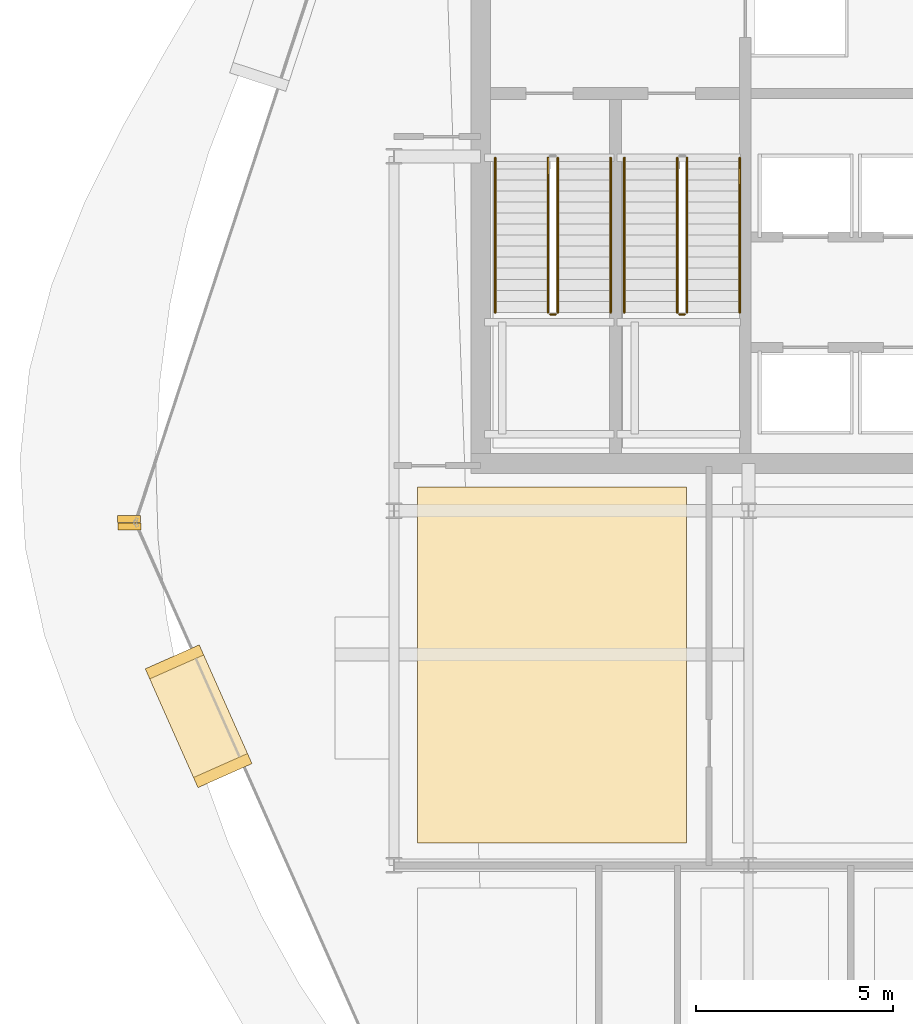
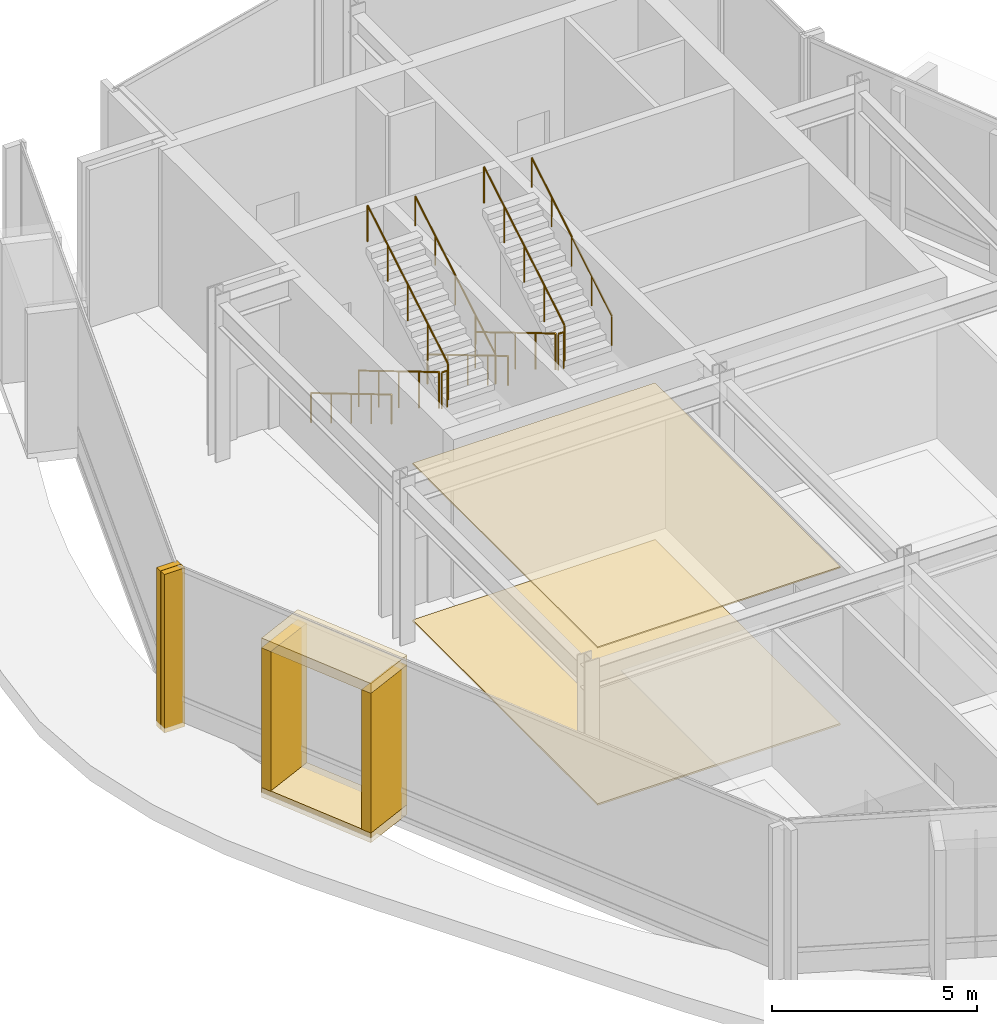
# One storey, part 24 of 28: 10 railings, 8 coverings.
"""IFC4 building model written with IfcOpenShell, lengths in metres."""

import ifcopenshell
import ifcopenshell.guid

model = None  # the IFC model being written
_history = None  # IfcOwnerHistory: only IFC2X3 demands one
_inside = {}  # id of a spatial element -> (the spatial element, [elements in it])
_under = {}  # id of a project, library or spatial element -> (it, [spatial elements below it])
_declared = {}  # id of a project -> (the project, [libraries it declares])
_typed = {}  # id of a type object -> (the type object, [elements of that type])
_made_of = {}  # id of a material, layer set ... -> (it, [elements and type objects made of it])


def new_model(schema):
    """Start an empty IFC model of exactly this schema.

    Asked for "IFC4X3", IfcOpenShell would pick the latest addendum, in which some entities
    have other attributes; the version numbers below select the first issue.
    IFC2X3 requires an IfcOwnerHistory on every rooted entity: one is made here for all.
    """
    global model, _history
    if schema == "IFC4X3":
        model = ifcopenshell.file(schema_version=(4, 3, 0, 0))
    else:
        model = ifcopenshell.file(schema=schema)
    _inside.clear()
    _under.clear()
    _declared.clear()
    _typed.clear()
    _made_of.clear()
    _history = None
    if model.schema == "IFC2X3":
        org = make("IfcOrganization", Name="unknown")
        user = make(
            "IfcPersonAndOrganization",
            ThePerson=make("IfcPerson", FamilyName="unknown"),
            TheOrganization=org,
        )
        app = make(
            "IfcApplication",
            ApplicationDeveloper=org,
            Version="unknown",
            ApplicationFullName="unknown",
            ApplicationIdentifier="unknown",
        )
        _history = make(
            "IfcOwnerHistory",
            OwningUser=user,
            OwningApplication=app,
            ChangeAction="ADDED",
            CreationDate=0,
        )
    return model


def make(cls, **values):
    """One entity of the class cls with the attributes given. An attribute that is None is left unset."""
    return model.create_entity(
        cls, **{name: value for name, value in values.items() if value is not None}
    )


def rooted(cls, **values):
    """An entity with a GlobalId (a new one), such as an element, a storey or a relation."""
    return make(cls, GlobalId=ifcopenshell.guid.new(), OwnerHistory=_history, **values)


def si_unit(unit_type, name, prefix=None):
    """IfcSIUnit, for example si_unit("LENGTHUNIT", "METRE", prefix="MILLI")."""
    return make("IfcSIUnit", UnitType=unit_type, Prefix=prefix, Name=name)


def assignment(units):
    """IfcUnitAssignment: the units of a project."""
    return None if units is None else make("IfcUnitAssignment", Units=units)


def point(xyz):
    """IfcCartesianPoint."""
    return None if xyz is None else make("IfcCartesianPoint", Coordinates=xyz)


def direction(xyz):
    """IfcDirection."""
    return None if xyz is None else make("IfcDirection", DirectionRatios=xyz)


def frame(location, z_axis=None, x_axis=None):
    """IfcAxis2Placement3D, a coordinate frame: its origin and axes. An axis left out is left unset."""
    return make(
        "IfcAxis2Placement3D",
        Location=point(location),
        Axis=direction(z_axis),
        RefDirection=direction(x_axis),
    )


def frame_2d(location, x_axis=None):
    """IfcAxis2Placement2D, a coordinate frame in the plane: its origin and x axis."""
    return make(
        "IfcAxis2Placement2D", Location=point(location), RefDirection=direction(x_axis)
    )


def origin():
    """The frame at (0, 0, 0) with its axes left unset."""
    return frame((0.0, 0.0, 0.0))


def origin_2d():
    """The frame at (0, 0) in the plane with its x axis left unset."""
    return frame_2d((0.0, 0.0))


def place(relative_to, where):
    """IfcLocalPlacement: puts the frame where relative to a parent placement (None: the world)."""
    return make(
        "IfcLocalPlacement", PlacementRelTo=relative_to, RelativePlacement=where
    )


def context(
    kind, dimensions, precision=None, world=None, true_north=None, identifier=None
):
    """IfcGeometricRepresentationContext, for example the 3D "Model" context."""
    return make(
        "IfcGeometricRepresentationContext",
        ContextIdentifier=identifier,
        ContextType=kind,
        CoordinateSpaceDimension=dimensions,
        Precision=precision,
        WorldCoordinateSystem=world,
        TrueNorth=true_north,
    )


def subcontext(parent, identifier, kind, view, scale=None):
    """IfcGeometricRepresentationSubContext, for example "Body" below "Model"."""
    return make(
        "IfcGeometricRepresentationSubContext",
        ContextIdentifier=identifier,
        ContextType=kind,
        ParentContext=parent,
        TargetScale=scale,
        TargetView=view,
    )


def project(units=None, contexts=None):
    """IfcProject with its units and contexts."""
    return rooted(
        "IfcProject",
        Name="project",
        RepresentationContexts=contexts,
        UnitsInContext=assignment(units),
    )


def spatial(cls, under=None, at=None, **own):
    """A site, building, storey or space (cls), placed at a placement, below another one or the project."""
    s = rooted(cls, ObjectPlacement=at, **own)
    if under is not None:
        _under.setdefault(under.id(), (under, []))[1].append(s)
    return s


def polyline(points):
    """IfcPolyline through the points."""
    return make("IfcPolyline", Points=[point(p) for p in points])


def profile(cls, at=None, kind="AREA", **sizes):
    """A parametric profile (cls). Its sizes go by their IFC names, for example OverallWidth=200.0."""
    return make(cls, ProfileType=kind, Position=at, **sizes)


def rectangle(**sizes):
    """IfcRectangleProfileDef."""
    return profile("IfcRectangleProfileDef", **sizes)


def circle(**sizes):
    """IfcCircleProfileDef."""
    return profile("IfcCircleProfileDef", **sizes)


def outline(outer, holes=None, kind="AREA"):
    """IfcArbitraryClosedProfileDef: a profile drawn as a closed curve; with holes, ...WithVoids."""
    if holes is None:
        return make("IfcArbitraryClosedProfileDef", ProfileType=kind, OuterCurve=outer)
    return make(
        "IfcArbitraryProfileDefWithVoids",
        ProfileType=kind,
        OuterCurve=outer,
        InnerCurves=holes,
    )


def extrude(swept, where, along, depth):
    """IfcExtrudedAreaSolid: the profile swept, set in the frame where, extruded along a direction by depth."""
    return make(
        "IfcExtrudedAreaSolid",
        SweptArea=swept,
        Position=where,
        ExtrudedDirection=direction(along),
        Depth=depth,
    )


def shape(context_of_items, identifier, shape_type, items):
    """IfcShapeRepresentation: the items that make up one representation, for example the "Body"."""
    return make(
        "IfcShapeRepresentation",
        ContextOfItems=context_of_items,
        RepresentationIdentifier=identifier,
        RepresentationType=shape_type,
        Items=items,
    )


def material(Name=None, Category=None):
    """IfcMaterial."""
    return make("IfcMaterial", Name=Name, Category=Category)


def layer(
    of_material, thickness, ventilated=None, Name=None, Category=None, Priority=None
):
    """IfcMaterialLayer: one layer of a wall or slab, of a material (None: an air gap)."""
    return make(
        "IfcMaterialLayer",
        Material=of_material,
        LayerThickness=thickness,
        IsVentilated=ventilated,
        Name=Name,
        Category=Category,
        Priority=Priority,
    )


def layer_set(layers, Name=None):
    """IfcMaterialLayerSet."""
    return make("IfcMaterialLayerSet", MaterialLayers=layers, LayerSetName=Name)


def made_of(thing, what):
    """Note that an element or type object is made of a material, layer set ...; save() writes the relation."""
    if what is not None:
        _made_of.setdefault(what.id(), (what, []))[1].append(thing)
    return thing


def type_object(cls, material=None, **own):
    """A type object (cls), such as IfcWallType, which elements share."""
    return made_of(rooted(cls, **own), material)


def element(
    cls,
    number,
    at=None,
    inside=None,
    cuts=None,
    type_object=None,
    material=None,
    context=None,
    identifier="Body",
    shape_type=None,
    held_by="IfcProductDefinitionShape",
    body=None,
    shapes=None,
    **own,
):
    """One element of the class cls, such as IfcWall. Its Tag is "e" and its number.

    at: its placement. inside: the storey or other place that contains it. cuts: it is an
    opening in that element (IfcRelVoidsElement). A single representation is given by context,
    identifier, shape_type and body (its items); several are given by shapes. held_by: the class
    of the entity that holds the representations. save() writes the other relations.
    """
    e = rooted(cls, Tag="e%d" % number, ObjectPlacement=at, **own)
    if body is not None:
        shapes = [shape(context, identifier, shape_type, body)]
    if shapes is not None:
        e.Representation = make(held_by, Representations=shapes)
    if inside is not None:
        _inside.setdefault(inside.id(), (inside, []))[1].append(e)
    if cuts is not None:
        rooted(
            "IfcRelVoidsElement", RelatingBuildingElement=cuts, RelatedOpeningElement=e
        )
    if type_object is not None:
        _typed.setdefault(type_object.id(), (type_object, []))[1].append(e)
    return made_of(e, material)


def aggregate(whole, parts):
    """IfcRelAggregates: a whole, such as a stair, and the parts it consists of."""
    return rooted("IfcRelAggregates", RelatingObject=whole, RelatedObjects=parts)


def save(model, path):
    """Write the relations noted so far, then the file.

    IfcRelAggregates (storeys below a building ...), IfcRelContainedInSpatialStructure (elements
    in a storey), IfcRelDefinesByType, IfcRelAssociatesMaterial and IfcRelDeclares: one each for
    every whole, place, type object, material and project.
    """
    for whole, parts in _under.values():
        aggregate(whole, parts)
    for where, things in _inside.values():
        rooted(
            "IfcRelContainedInSpatialStructure",
            RelatedElements=things,
            RelatingStructure=where,
        )
    for kind, things in _typed.values():
        rooted("IfcRelDefinesByType", RelatedObjects=things, RelatingType=kind)
    for what, things in _made_of.values():
        rooted("IfcRelAssociatesMaterial", RelatedObjects=things, RelatingMaterial=what)
    for by, libraries in _declared.values():
        rooted("IfcRelDeclares", RelatingContext=by, RelatedDefinitions=libraries)
    model.write(path)


model = new_model("IFC4")

# Units and contexts
model_context = context("Model", 3, precision=1e-05, world=origin(), true_north=direction((0.0, 1.0)))
body_context = subcontext(model_context, "Body", "Model", "MODEL_VIEW")
ifc_project = project(units=[si_unit("LENGTHUNIT", "METRE"), si_unit("AREAUNIT", "SQUARE_METRE"), si_unit("VOLUMEUNIT", "CUBIC_METRE"), si_unit("PLANEANGLEUNIT", "RADIAN"), si_unit("MASSUNIT", "GRAM", prefix="KILO")], contexts=[model_context])

# Site, building, storey
site_placement = place(None, origin())
site = spatial("IfcSite", under=ifc_project, at=site_placement, CompositionType="ELEMENT")
building_placement = place(site_placement, origin())
building = spatial("IfcBuilding", under=site, at=building_placement, Name="Solvaryn Broadcast Tower", CompositionType="ELEMENT")
storey_placement = place(building_placement, frame((0.0, 0.0, 201.199951171875)))
storey = spatial("IfcBuildingStorey", under=building, at=storey_placement, Name="L50", CompositionType="ELEMENT", Elevation=201.199951171875)

# Coverings
ifc_material_1 = material(Name="Micro-Perforated Acoustic Gypsum Ceiling", Category="concrete")
ifc_layer_1 = layer(ifc_material_1, 0.0400390625)
ifc_layer_set_1 = layer_set([ifc_layer_1], Name="CV-CEIL-ACOUSTIC")
covering_type_1 = type_object("IfcCoveringType", Name="CV-CEIL-ACOUSTIC", PredefinedType="CEILING", material=ifc_layer_set_1)
covering_1_placement = place(storey_placement, frame((0.0, 0.0, 4.679931640625)))
element("IfcCovering", 1, at=covering_1_placement, inside=storey, type_object=covering_type_1, Name="L50 Room Acoustic Ceiling 1", PredefinedType="CEILING", context=body_context, shape_type="SweptSolid", body=[
    extrude(outline(polyline([(9.60009765625, 18.570068359375), (16.429931640625, 18.570068359375), (16.429931640625, 27.60009765625), (9.60009765625, 27.60009765625), (9.60009765625, 18.570068359375)])), origin(), (0.0, 0.0, 1.0), 0.0400390625),
])
ifc_material_2 = material(Name="Newsroom Raised Data Access Flooring", Category="steel")
ifc_layer_2 = layer(ifc_material_2, 0.050048828125)
ifc_layer_set_2 = layer_set([ifc_layer_2], Name="CV-FLOOR-RAISED")
covering_type_2 = type_object("IfcCoveringType", Name="CV-FLOOR-RAISED", PredefinedType="FLOORING", material=ifc_layer_set_2)
covering_2_placement = place(storey_placement, origin())
element("IfcCovering", 2, at=covering_2_placement, inside=storey, type_object=covering_type_2, Name="L50 Room Acoustic Floor Finish 1", PredefinedType="FLOORING", context=body_context, shape_type="SweptSolid", body=[
    extrude(outline(polyline([(9.60009765625, 18.570068359375), (16.429931640625, 18.570068359375), (16.429931640625, 27.60009765625), (9.60009765625, 27.60009765625), (9.60009765625, 18.570068359375)])), origin(), (0.0, 0.0, 1.0), 0.050048828125),
])
ifc_material_3 = material(Name="Glazed Architectural Terracotta Rainscreen Cladding", Category="masonry")
ifc_layer_3 = layer(ifc_material_3, 0.280029296875)
ifc_layer_set_3 = layer_set([ifc_layer_3], Name="CV-TC-CLAD")
covering_type_3 = type_object("IfcCoveringType", Name="CV-TC-CLAD", PredefinedType="CLADDING", material=ifc_layer_set_3)
for number, where, z_axis, x_axis, name in (
    (3, (4.0390625, 21.784912109375, 4.43017578125), (0.0, 0.0, 1.0), (0.405939269498, -0.913900054426, 0.0), "L50 Projecting Stone Window Box Hood 2"),
    (4, (4.0390625, 21.784912109375, -0.009765625), (0.0, 0.0, 1.0), (0.405939269498, -0.913900054426, 0.0), "L50 Projecting Stone Window Box Sill 2"),
):
    element("IfcCovering", number, at=place(storey_placement, frame(where, z_axis=z_axis, x_axis=x_axis)), inside=storey, type_object=covering_type_3, Name=name, PredefinedType="CLADDING", context=body_context, shape_type="SweptSolid", body=[
        extrude(rectangle(XDim=3.300048828125, YDim=1.5, at=origin_2d()), origin(), (0.0, 0.0, 1.0), 0.300048828125),
    ])
for number, where, z_axis, x_axis, name in (
    (5, (3.426025390625, 23.1650390625, 0.2802734375), (0.0, 0.0, 1.0), (0.405939269498, -0.913900054426, 0.0), "L50 Projecting Stone Window Box Cheek 2-1"),
    (6, (4.652099609375, 20.405029296875, 0.2802734375), (0.0, 0.0, 1.0), (0.405939269498, -0.913900054426, 0.0), "L50 Projecting Stone Window Box Cheek 2-2"),
):
    element("IfcCovering", number, at=place(storey_placement, frame(where, z_axis=z_axis, x_axis=x_axis)), inside=storey, type_object=covering_type_3, Name=name, PredefinedType="CLADDING", context=body_context, shape_type="SweptSolid", body=[
        extrude(rectangle(XDim=0.280029296875, YDim=1.5, at=origin_2d()), origin(), (0.0, 0.0, 1.0), 4.159912109375),
    ])
ifc_material_4 = material(Name="Extruded Architectural Terracotta Fin", Category="masonry")
ifc_layer_4 = layer(ifc_material_4, 0.179931640625)
ifc_layer_set_4 = layer_set([ifc_layer_4], Name="CV-TC-FIN")
covering_type_4 = type_object("IfcCoveringType", Name="CV-TC-FIN", PredefinedType="USERDEFINED", material=ifc_layer_set_4)
for number, where, z_axis, x_axis, name in (
    (7, (2.271240234375, 26.790771484375, 0.0), (0.0, 0.0, 1.0), (1.0, 0.0, 0.0), "L50 Terracotta Vertical Fin FIN-L50-DR1-M01"),
    (8, (2.281005859375, 26.605712890625, 0.0), (0.0, 0.0, 1.0), (1.0, 0.0, 0.0), "L50 Terracotta Vertical Fin FIN-L50-DR2-M00"),
):
    element("IfcCovering", number, at=place(storey_placement, frame(where, z_axis=z_axis, x_axis=x_axis)), inside=storey, type_object=covering_type_4, Name=name, ObjectType="FIN", PredefinedType="USERDEFINED", context=body_context, shape_type="SweptSolid", body=[
        extrude(rectangle(XDim=0.580078125, YDim=0.179931640625, at=origin_2d()), origin(), (0.0, 0.0, 1.0), 4.719970703125),
    ])

# Railings
ifc_material_5 = material(Name="Painted Steel Stair Well Guard", Category="steel")
railing_type_1 = type_object("IfcRailingType", Name="RL-STAIR-GUARD", PredefinedType="BALUSTRADE", material=ifc_material_5)
railing_1_placement = place(storey_placement, frame((12.909912109375, 35.9599609375, 0.166748046875)))
element("IfcRailing", 9, at=railing_1_placement, inside=storey, type_object=railing_type_1, Name="L50 ST1 stair guard 1", PredefinedType="BALUSTRADE", context=body_context, shape_type="SweptSolid", body=[
    extrude(circle(Radius=0.02392578125, at=origin_2d()), frame((0.0, 0.0, 1.076171875), z_axis=(0.0, -0.859296244711, 0.511478214419), x_axis=(1.0, 0.0, 0.0)), (0.0, 0.0, 1.0), 4.561767578125),
    extrude(circle(Radius=0.02099609375, at=origin_2d()), origin(), (0.0, 0.0, 1.0), 1.052001953125),
    extrude(circle(Radius=0.02099609375, at=origin_2d()), frame((0.0, -0.97998046875, 0.583251953125)), (0.0, 0.0, 1.0), 1.052001953125),
    extrude(circle(Radius=0.02099609375, at=origin_2d()), frame((0.0, -1.9599609375, 1.16650390625)), (0.0, 0.0, 1.0), 1.052001953125),
    extrude(circle(Radius=0.02099609375, at=origin_2d()), frame((0.0, -2.93994140625, 1.75)), (0.0, 0.0, 1.0), 1.052001953125),
    extrude(circle(Radius=0.02099609375, at=origin_2d()), frame((0.0, -3.919921875, 2.333251953125)), (0.0, 0.0, 1.0), 1.052001953125),
])
railing_2_placement = place(storey_placement, frame((12.9599609375, 31.989990234375, 2.5)))
element("IfcRailing", 10, at=railing_2_placement, inside=storey, type_object=railing_type_1, Name="L50 ST1 stair guard 2", PredefinedType="BALUSTRADE", context=body_context, shape_type="SweptSolid", body=[
    extrude(circle(Radius=0.02392578125, at=origin_2d()), frame((0.0, 0.0, 1.076171875), z_axis=(1.0, 0.0, 0.0), x_axis=(0.0, 1.0, 0.0)), (0.0, 0.0, 1.0), 0.150146484375),
    extrude(circle(Radius=0.02099609375, at=origin_2d()), origin(), (0.0, 0.0, 1.0), 1.052001953125),
    extrude(circle(Radius=0.02099609375, at=origin_2d()), frame((0.150146484375, 0.0, 0.0)), (0.0, 0.0, 1.0), 1.052001953125),
])
railing_3_placement = place(storey_placement, frame((13.159912109375, 32.0400390625, 2.666748046875)))
element("IfcRailing", 11, at=railing_3_placement, inside=storey, type_object=railing_type_1, Name="L50 ST1 stair guard 3", PredefinedType="BALUSTRADE", context=body_context, shape_type="SweptSolid", body=[
    extrude(circle(Radius=0.02392578125, at=origin_2d()), frame((0.0, 0.0, 1.076171875), z_axis=(0.0, 0.859296244711, 0.511478214419), x_axis=(-1.0, 0.0, 0.0)), (0.0, 0.0, 1.0), 4.561767578125),
    extrude(circle(Radius=0.02099609375, at=origin_2d()), origin(), (0.0, 0.0, 1.0), 1.052001953125),
    extrude(circle(Radius=0.02099609375, at=origin_2d()), frame((0.0, 0.97998046875, 0.583251953125)), (0.0, 0.0, 1.0), 1.052001953125),
    extrude(circle(Radius=0.02099609375, at=origin_2d()), frame((0.0, 1.9599609375, 1.16650390625)), (0.0, 0.0, 1.0), 1.052001953125),
    extrude(circle(Radius=0.02099609375, at=origin_2d()), frame((0.0, 2.93994140625, 1.75)), (0.0, 0.0, 1.0), 1.052001953125),
    extrude(circle(Radius=0.02099609375, at=origin_2d()), frame((0.0, 3.919921875, 2.333251953125)), (0.0, 0.0, 1.0), 1.052001953125),
])
railing_4_placement = place(storey_placement, frame((16.18994140625, 35.9599609375, 0.166748046875)))
element("IfcRailing", 12, at=railing_4_placement, inside=storey, type_object=railing_type_1, Name="L50 ST2 stair guard 1", PredefinedType="BALUSTRADE", context=body_context, shape_type="SweptSolid", body=[
    extrude(circle(Radius=0.02392578125, at=origin_2d()), frame((0.0, 0.0, 1.076171875), z_axis=(0.0, -0.859296244711, 0.511478214419), x_axis=(1.0, 0.0, 0.0)), (0.0, 0.0, 1.0), 4.561767578125),
    extrude(circle(Radius=0.02099609375, at=origin_2d()), origin(), (0.0, 0.0, 1.0), 1.052001953125),
    extrude(circle(Radius=0.02099609375, at=origin_2d()), frame((0.0, -0.97998046875, 0.583251953125)), (0.0, 0.0, 1.0), 1.052001953125),
    extrude(circle(Radius=0.02099609375, at=origin_2d()), frame((0.0, -1.9599609375, 1.16650390625)), (0.0, 0.0, 1.0), 1.052001953125),
    extrude(circle(Radius=0.02099609375, at=origin_2d()), frame((0.0, -2.93994140625, 1.75)), (0.0, 0.0, 1.0), 1.052001953125),
    extrude(circle(Radius=0.02099609375, at=origin_2d()), frame((0.0, -3.919921875, 2.333251953125)), (0.0, 0.0, 1.0), 1.052001953125),
])
railing_5_placement = place(storey_placement, frame((16.239990234375, 31.989990234375, 2.5)))
element("IfcRailing", 13, at=railing_5_placement, inside=storey, type_object=railing_type_1, Name="L50 ST2 stair guard 2", PredefinedType="BALUSTRADE", context=body_context, shape_type="SweptSolid", body=[
    extrude(circle(Radius=0.02392578125, at=origin_2d()), frame((0.0, 0.0, 1.076171875), z_axis=(1.0, 0.0, 0.0), x_axis=(0.0, 1.0, 0.0)), (0.0, 0.0, 1.0), 0.14990234375),
    extrude(circle(Radius=0.02099609375, at=origin_2d()), origin(), (0.0, 0.0, 1.0), 1.052001953125),
    extrude(circle(Radius=0.02099609375, at=origin_2d()), frame((0.14990234375, 0.0, 0.0)), (0.0, 0.0, 1.0), 1.052001953125),
])
railing_6_placement = place(storey_placement, frame((16.43994140625, 32.0400390625, 2.666748046875)))
element("IfcRailing", 14, at=railing_6_placement, inside=storey, type_object=railing_type_1, Name="L50 ST2 stair guard 3", PredefinedType="BALUSTRADE", context=body_context, shape_type="SweptSolid", body=[
    extrude(circle(Radius=0.02392578125, at=origin_2d()), frame((0.0, 0.0, 1.076171875), z_axis=(0.0, 0.859296244711, 0.511478214419), x_axis=(-1.0, 0.0, 0.0)), (0.0, 0.0, 1.0), 4.561767578125),
    extrude(circle(Radius=0.02099609375, at=origin_2d()), origin(), (0.0, 0.0, 1.0), 1.052001953125),
    extrude(circle(Radius=0.02099609375, at=origin_2d()), frame((0.0, 0.97998046875, 0.583251953125)), (0.0, 0.0, 1.0), 1.052001953125),
    extrude(circle(Radius=0.02099609375, at=origin_2d()), frame((0.0, 1.9599609375, 1.16650390625)), (0.0, 0.0, 1.0), 1.052001953125),
    extrude(circle(Radius=0.02099609375, at=origin_2d()), frame((0.0, 2.93994140625, 1.75)), (0.0, 0.0, 1.0), 1.052001953125),
    extrude(circle(Radius=0.02099609375, at=origin_2d()), frame((0.0, 3.919921875, 2.333251953125)), (0.0, 0.0, 1.0), 1.052001953125),
])
ifc_material_6 = material(Name="Brushed Stainless Steel Tubular Handrail", Category="steel")
railing_type_2 = type_object("IfcRailingType", Name="RL-STAIR-HANDRAIL", PredefinedType="HANDRAIL", material=ifc_material_6)
railing_7_placement = place(storey_placement, frame((11.570068359375, 35.9599609375, 0.166748046875)))
element("IfcRailing", 15, at=railing_7_placement, inside=storey, type_object=railing_type_2, Name="L50 ST1 stair handrail 1", PredefinedType="HANDRAIL", context=body_context, shape_type="SweptSolid", body=[
    extrude(circle(Radius=0.02392578125, at=origin_2d()), frame((0.0, 0.0, 0.8759765625), z_axis=(0.0, -0.859296244711, 0.511478214419), x_axis=(1.0, 0.0, 0.0)), (0.0, 0.0, 1.0), 4.561767578125),
    extrude(circle(Radius=0.02099609375, at=origin_2d()), origin(), (0.0, 0.0, 1.0), 0.851806640625),
    extrude(circle(Radius=0.02099609375, at=origin_2d()), frame((0.0, -0.97998046875, 0.583251953125)), (0.0, 0.0, 1.0), 0.851806640625),
    extrude(circle(Radius=0.02099609375, at=origin_2d()), frame((0.0, -1.9599609375, 1.16650390625)), (0.0, 0.0, 1.0), 0.851806640625),
    extrude(circle(Radius=0.02099609375, at=origin_2d()), frame((0.0, -2.93994140625, 1.75)), (0.0, 0.0, 1.0), 0.851806640625),
    extrude(circle(Radius=0.02099609375, at=origin_2d()), frame((0.0, -3.919921875, 2.333251953125)), (0.0, 0.0, 1.0), 0.851806640625),
])
railing_8_placement = place(storey_placement, frame((14.5, 32.0400390625, 2.666748046875)))
element("IfcRailing", 16, at=railing_8_placement, inside=storey, type_object=railing_type_2, Name="L50 ST1 stair handrail 2", PredefinedType="HANDRAIL", context=body_context, shape_type="SweptSolid", body=[
    extrude(circle(Radius=0.02392578125, at=origin_2d()), frame((0.0, 0.0, 0.8759765625), z_axis=(0.0, 0.859296244711, 0.511478214419), x_axis=(-1.0, 0.0, 0.0)), (0.0, 0.0, 1.0), 4.561767578125),
    extrude(circle(Radius=0.02099609375, at=origin_2d()), origin(), (0.0, 0.0, 1.0), 0.851806640625),
    extrude(circle(Radius=0.02099609375, at=origin_2d()), frame((0.0, 0.97998046875, 0.583251953125)), (0.0, 0.0, 1.0), 0.851806640625),
    extrude(circle(Radius=0.02099609375, at=origin_2d()), frame((0.0, 1.9599609375, 1.16650390625)), (0.0, 0.0, 1.0), 0.851806640625),
    extrude(circle(Radius=0.02099609375, at=origin_2d()), frame((0.0, 2.93994140625, 1.75)), (0.0, 0.0, 1.0), 0.851806640625),
    extrude(circle(Radius=0.02099609375, at=origin_2d()), frame((0.0, 3.919921875, 2.333251953125)), (0.0, 0.0, 1.0), 0.851806640625),
])
railing_9_placement = place(storey_placement, frame((14.85009765625, 35.9599609375, 0.166748046875)))
element("IfcRailing", 17, at=railing_9_placement, inside=storey, type_object=railing_type_2, Name="L50 ST2 stair handrail 1", PredefinedType="HANDRAIL", context=body_context, shape_type="SweptSolid", body=[
    extrude(circle(Radius=0.02392578125, at=origin_2d()), frame((0.0, 0.0, 0.8759765625), z_axis=(0.0, -0.859296244711, 0.511478214419), x_axis=(1.0, 0.0, 0.0)), (0.0, 0.0, 1.0), 4.561767578125),
    extrude(circle(Radius=0.02099609375, at=origin_2d()), origin(), (0.0, 0.0, 1.0), 0.851806640625),
    extrude(circle(Radius=0.02099609375, at=origin_2d()), frame((0.0, -0.97998046875, 0.583251953125)), (0.0, 0.0, 1.0), 0.851806640625),
    extrude(circle(Radius=0.02099609375, at=origin_2d()), frame((0.0, -1.9599609375, 1.16650390625)), (0.0, 0.0, 1.0), 0.851806640625),
    extrude(circle(Radius=0.02099609375, at=origin_2d()), frame((0.0, -2.93994140625, 1.75)), (0.0, 0.0, 1.0), 0.851806640625),
    extrude(circle(Radius=0.02099609375, at=origin_2d()), frame((0.0, -3.919921875, 2.333251953125)), (0.0, 0.0, 1.0), 0.851806640625),
])
railing_10_placement = place(storey_placement, frame((17.780029296875, 32.0400390625, 2.666748046875)))
element("IfcRailing", 18, at=railing_10_placement, inside=storey, type_object=railing_type_2, Name="L50 ST2 stair handrail 2", PredefinedType="HANDRAIL", context=body_context, shape_type="SweptSolid", body=[
    extrude(circle(Radius=0.02392578125, at=origin_2d()), frame((0.0, 0.0, 0.8759765625), z_axis=(0.0, 0.859296244711, 0.511478214419), x_axis=(-1.0, 0.0, 0.0)), (0.0, 0.0, 1.0), 4.561767578125),
    extrude(circle(Radius=0.02099609375, at=origin_2d()), origin(), (0.0, 0.0, 1.0), 0.851806640625),
    extrude(circle(Radius=0.02099609375, at=origin_2d()), frame((0.0, 0.97998046875, 0.583251953125)), (0.0, 0.0, 1.0), 0.851806640625),
    extrude(circle(Radius=0.02099609375, at=origin_2d()), frame((0.0, 1.9599609375, 1.16650390625)), (0.0, 0.0, 1.0), 0.851806640625),
    extrude(circle(Radius=0.02099609375, at=origin_2d()), frame((0.0, 2.93994140625, 1.75)), (0.0, 0.0, 1.0), 0.851806640625),
    extrude(circle(Radius=0.02099609375, at=origin_2d()), frame((0.0, 3.919921875, 2.333251953125)), (0.0, 0.0, 1.0), 0.851806640625),
])

save(model, "model.ifc")
